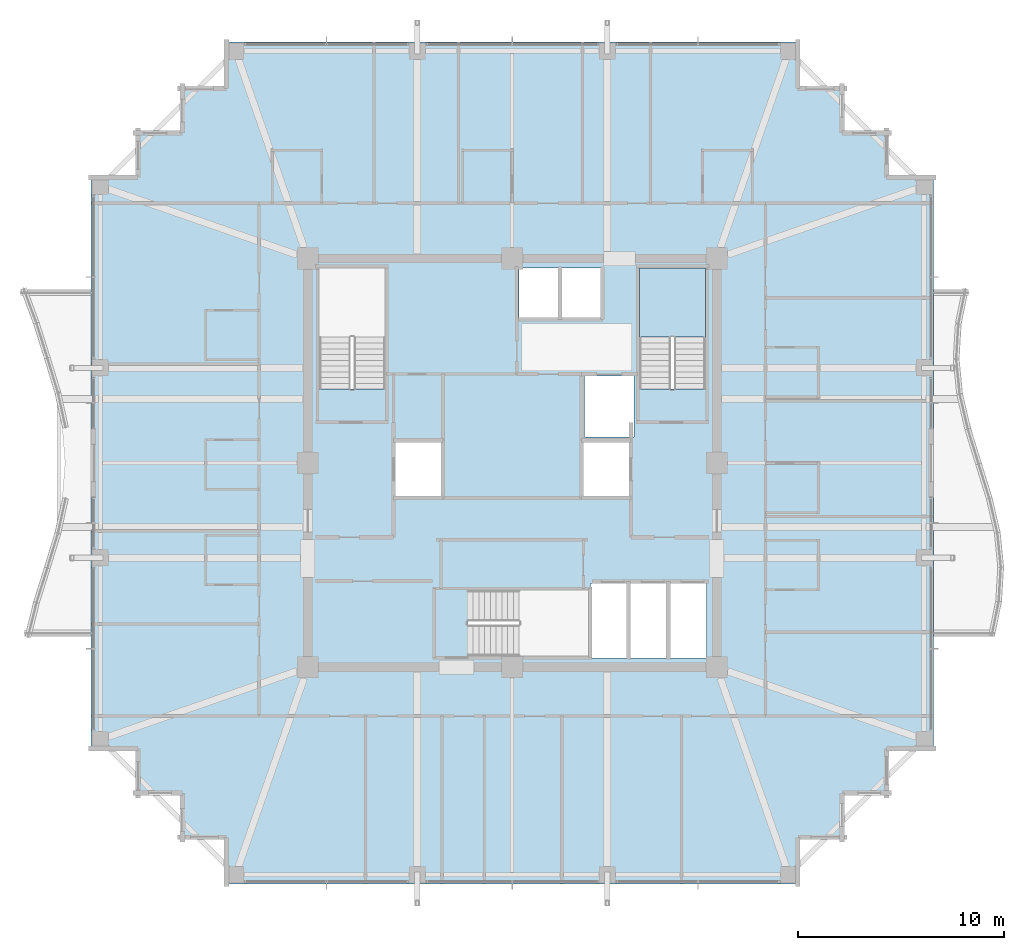
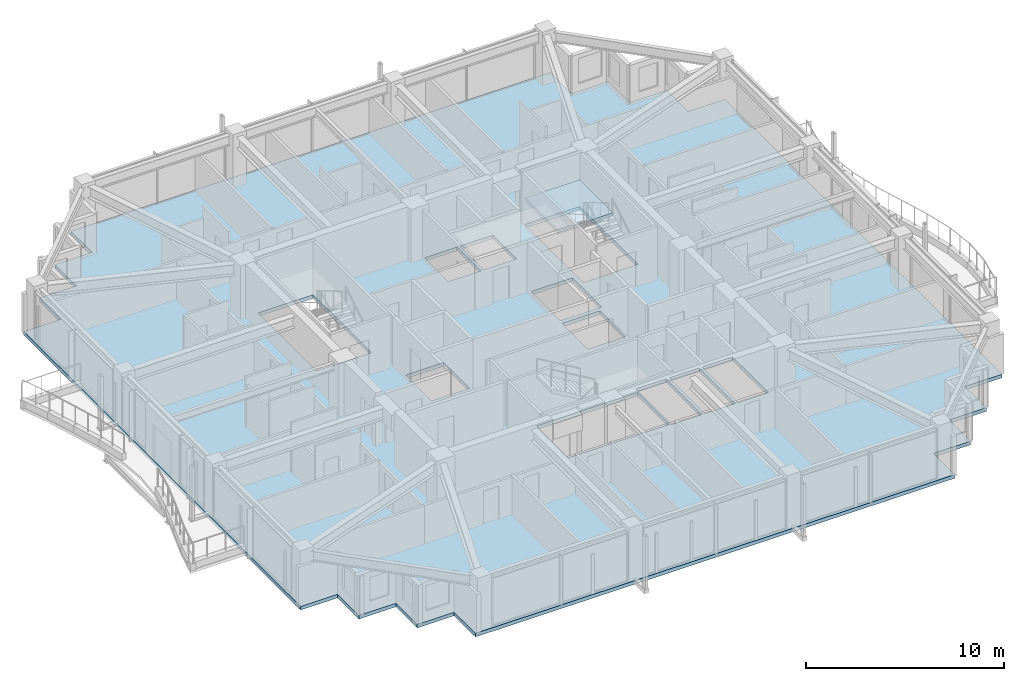
# One storey, part 25 of 35: 2 slabs, 1 element without a shape of its own.
"""IFC4 building model written with IfcOpenShell, lengths in metres."""

from ifc_helpers import new_model, si_unit, direction, frame, origin, place, context, subcontext, project, spatial, polyline, outline, extrude, material, layer, layer_set, type_object, element, aggregate, save


model = new_model("IFC4")

# Units and contexts
model_context = context("Model", 3, precision=1e-05, world=origin(), true_north=direction((0.0, 1.0)))
body_context = subcontext(model_context, "Body", "Model", "MODEL_VIEW")
ifc_project = project(units=[si_unit("LENGTHUNIT", "METRE"), si_unit("AREAUNIT", "SQUARE_METRE"), si_unit("VOLUMEUNIT", "CUBIC_METRE"), si_unit("PLANEANGLEUNIT", "RADIAN"), si_unit("MASSUNIT", "GRAM", prefix="KILO")], contexts=[model_context])

# Site, building, storey
site_placement = place(None, origin())
site = spatial("IfcSite", under=ifc_project, at=site_placement, CompositionType="ELEMENT")
building_placement = place(site_placement, origin())
building = spatial("IfcBuilding", under=site, at=building_placement, Name="Kolvaren Belvedere", CompositionType="ELEMENT")
storey_placement = place(building_placement, frame((0.0, 0.0, 216.300048828125)))
storey = spatial("IfcBuildingStorey", under=building, at=storey_placement, Name="L63", CompositionType="ELEMENT", Elevation=216.300048828125)

# Slab
ifc_material_1 = material(Name="Concrete C50/60", Category="concrete")
ifc_layer_1 = layer(ifc_material_1, 0.219970703125)
ifc_layer_set_1 = layer_set([ifc_layer_1], Name="Concrete C50/60")
slab_type_1 = type_object("IfcSlabType", Name="SL-FLR-220", PredefinedType="FLOOR", material=ifc_layer_set_1)
slab_1_placement = place(storey_placement, frame((0.0, 0.0, -0.219970703125)))
element("IfcSlab", 1, at=slab_1_placement, inside=storey, type_object=slab_type_1, Name="L63 Primary Structural Slab", PredefinedType="FLOOR", context=body_context, shape_type="SweptSolid", body=[
    extrude(outline(polyline([(-13.949951171875, -20.39990234375), (13.949951171875, -20.39990234375), (13.949951171875, -18.25), (16.10009765625, -18.25), (16.10009765625, -16.10009765625), (18.25, -16.10009765625), (18.25, -13.949951171875), (20.39990234375, -13.949951171875), (20.39990234375, 13.949951171875), (18.25, 13.949951171875), (18.25, 16.10009765625), (16.10009765625, 16.10009765625), (16.10009765625, 18.25), (13.949951171875, 18.25), (13.949951171875, 20.39990234375), (-13.949951171875, 20.39990234375), (-13.949951171875, 18.25), (-16.10009765625, 18.25), (-16.10009765625, 16.10009765625), (-18.25, 16.10009765625), (-18.25, 13.949951171875), (-20.39990234375, 13.949951171875), (-20.39990234375, -13.949951171875), (-18.25, -13.949951171875), (-18.25, -16.10009765625), (-16.10009765625, -16.10009765625), (-16.10009765625, -18.25), (-13.949951171875, -18.25), (-13.949951171875, -20.39990234375)]), holes=[polyline([(-9.35009765625, 3.580078125), (-6.159912109375, 3.580078125), (-6.159912109375, 9.449951171875), (-9.35009765625, 9.449951171875), (-9.35009765625, 3.580078125)]), polyline([(6.159912109375, 3.580078125), (9.35009765625, 3.580078125), (9.35009765625, 9.449951171875), (6.159912109375, 9.449951171875), (6.159912109375, 3.580078125)]), polyline([(-2.169921875, -9.35009765625), (3.699951171875, -9.35009765625), (3.699951171875, -6.159912109375), (-2.169921875, -6.159912109375), (-2.169921875, -9.35009765625)]), polyline([(-5.64990234375, -1.60009765625), (-3.449951171875, -1.60009765625), (-3.449951171875, 1.0), (-5.64990234375, 1.0), (-5.64990234375, -1.60009765625)]), polyline([(3.5, 1.25), (5.89990234375, 1.25), (5.89990234375, 4.199951171875), (3.5, 4.199951171875), (3.5, 1.25)]), polyline([(3.449951171875, -1.60009765625), (5.64990234375, -1.60009765625), (5.64990234375, 1.0), (3.449951171875, 1.0), (3.449951171875, -1.60009765625)]), polyline([(3.7900390625, -9.449951171875), (5.5400390625, -9.449951171875), (5.5400390625, -5.85009765625), (3.7900390625, -5.85009765625), (3.7900390625, -9.449951171875)]), polyline([(5.719970703125, -9.449951171875), (7.469970703125, -9.449951171875), (7.469970703125, -5.85009765625), (5.719970703125, -5.85009765625), (5.719970703125, -9.449951171875)]), polyline([(7.64990234375, -9.449951171875), (9.39990234375, -9.449951171875), (9.39990234375, -5.85009765625), (7.64990234375, -5.85009765625), (7.64990234375, -9.449951171875)]), polyline([(0.320068359375, 7.050048828125), (2.219970703125, 7.050048828125), (2.219970703125, 9.449951171875), (0.320068359375, 9.449951171875), (0.320068359375, 7.050048828125)]), polyline([(2.39990234375, 7.050048828125), (4.300048828125, 7.050048828125), (4.300048828125, 9.449951171875), (2.39990234375, 9.449951171875), (2.39990234375, 7.050048828125)])]), origin(), (0.0, 0.0, 1.0), 0.219970703125),
])

# Stair, slab
ifc_material_2 = material(Name="Concrete C50/60", Category="concrete")
stair_type = type_object("IfcStairType", Name="ST-CORE-1520", PredefinedType="HALF_TURN_STAIR", material=ifc_material_2)
stair_placement = place(storey_placement, origin())
stair = element("IfcStair", 2, at=stair_placement, inside=storey, type_object=stair_type, Name="L63 Protected Exit Stair ST-2", PredefinedType="HALF_TURN_STAIR")
ifc_material_3 = material(Name="Concrete C50/60", Category="concrete")
ifc_layer_2 = layer(ifc_material_3, 0.260009765625)
ifc_layer_set_2 = layer_set([ifc_layer_2], Name="Concrete C50/60")
slab_type_2 = type_object("IfcSlabType", Name="SL-LAND-260", PredefinedType="LANDING", material=ifc_layer_set_2)
slab_2_placement = place(storey_placement, frame((0.0, 0.0, 1.449951171875)))
slab_2 = element("IfcSlab", 3, at=slab_2_placement, type_object=slab_type_2, Name="ST-2 landing 1", PredefinedType="LANDING", context=body_context, shape_type="SweptSolid", body=[
    extrude(outline(polyline([(9.35009765625, 6.090087890625), (9.35009765625, 9.449951171875), (6.159912109375, 9.449951171875), (6.159912109375, 6.090087890625), (9.35009765625, 6.090087890625)])), origin(), (0.0, 0.0, 1.0), 0.199951171875),
])
aggregate(stair, [slab_2])

save(model, "model.ifc")
